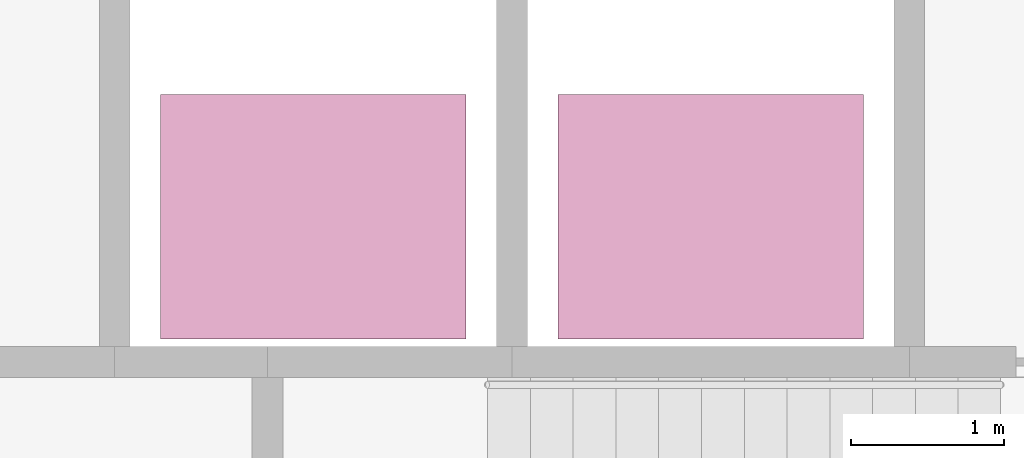
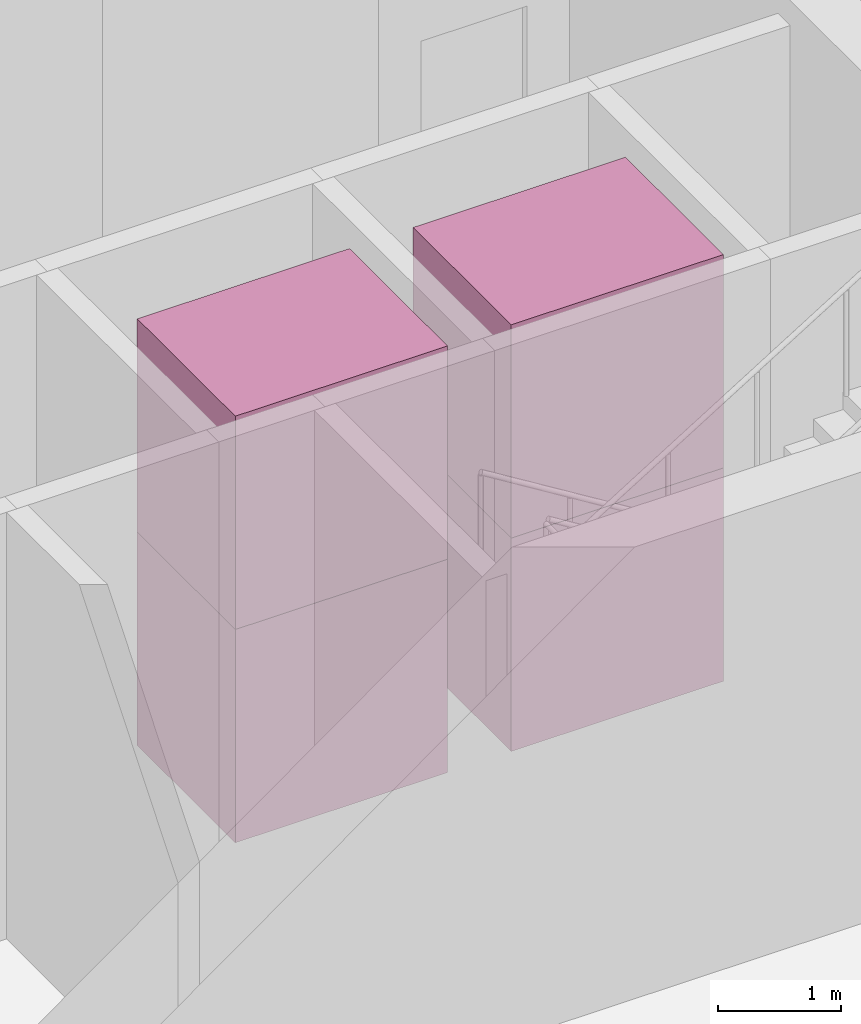
# One storey, part 10 of 10: 4 transport elements.
"""IFC4 building model written with IfcOpenShell, lengths in metres."""

import ifcopenshell
import ifcopenshell.guid

model = None  # the IFC model being written
_history = None  # IfcOwnerHistory: only IFC2X3 demands one
_inside = {}  # id of a spatial element -> (the spatial element, [elements in it])
_under = {}  # id of a project, library or spatial element -> (it, [spatial elements below it])
_declared = {}  # id of a project -> (the project, [libraries it declares])
_typed = {}  # id of a type object -> (the type object, [elements of that type])
_made_of = {}  # id of a material, layer set ... -> (it, [elements and type objects made of it])


def new_model(schema):
    """Start an empty IFC model of exactly this schema.

    Asked for "IFC4X3", IfcOpenShell would pick the latest addendum, in which some entities
    have other attributes; the version numbers below select the first issue.
    IFC2X3 requires an IfcOwnerHistory on every rooted entity: one is made here for all.
    """
    global model, _history
    if schema == "IFC4X3":
        model = ifcopenshell.file(schema_version=(4, 3, 0, 0))
    else:
        model = ifcopenshell.file(schema=schema)
    _inside.clear()
    _under.clear()
    _declared.clear()
    _typed.clear()
    _made_of.clear()
    _history = None
    if model.schema == "IFC2X3":
        org = make("IfcOrganization", Name="unknown")
        user = make(
            "IfcPersonAndOrganization",
            ThePerson=make("IfcPerson", FamilyName="unknown"),
            TheOrganization=org,
        )
        app = make(
            "IfcApplication",
            ApplicationDeveloper=org,
            Version="unknown",
            ApplicationFullName="unknown",
            ApplicationIdentifier="unknown",
        )
        _history = make(
            "IfcOwnerHistory",
            OwningUser=user,
            OwningApplication=app,
            ChangeAction="ADDED",
            CreationDate=0,
        )
    return model


def make(cls, **values):
    """One entity of the class cls with the attributes given. An attribute that is None is left unset."""
    return model.create_entity(
        cls, **{name: value for name, value in values.items() if value is not None}
    )


def rooted(cls, **values):
    """An entity with a GlobalId (a new one), such as an element, a storey or a relation."""
    return make(cls, GlobalId=ifcopenshell.guid.new(), OwnerHistory=_history, **values)


def si_unit(unit_type, name, prefix=None):
    """IfcSIUnit, for example si_unit("LENGTHUNIT", "METRE", prefix="MILLI")."""
    return make("IfcSIUnit", UnitType=unit_type, Prefix=prefix, Name=name)


def assignment(units):
    """IfcUnitAssignment: the units of a project."""
    return None if units is None else make("IfcUnitAssignment", Units=units)


def point(xyz):
    """IfcCartesianPoint."""
    return None if xyz is None else make("IfcCartesianPoint", Coordinates=xyz)


def direction(xyz):
    """IfcDirection."""
    return None if xyz is None else make("IfcDirection", DirectionRatios=xyz)


def frame(location, z_axis=None, x_axis=None):
    """IfcAxis2Placement3D, a coordinate frame: its origin and axes. An axis left out is left unset."""
    return make(
        "IfcAxis2Placement3D",
        Location=point(location),
        Axis=direction(z_axis),
        RefDirection=direction(x_axis),
    )


def frame_2d(location, x_axis=None):
    """IfcAxis2Placement2D, a coordinate frame in the plane: its origin and x axis."""
    return make(
        "IfcAxis2Placement2D", Location=point(location), RefDirection=direction(x_axis)
    )


def origin():
    """The frame at (0, 0, 0) with its axes left unset."""
    return frame((0.0, 0.0, 0.0))


def origin_2d():
    """The frame at (0, 0) in the plane with its x axis left unset."""
    return frame_2d((0.0, 0.0))


def place(relative_to, where):
    """IfcLocalPlacement: puts the frame where relative to a parent placement (None: the world)."""
    return make(
        "IfcLocalPlacement", PlacementRelTo=relative_to, RelativePlacement=where
    )


def context(
    kind, dimensions, precision=None, world=None, true_north=None, identifier=None
):
    """IfcGeometricRepresentationContext, for example the 3D "Model" context."""
    return make(
        "IfcGeometricRepresentationContext",
        ContextIdentifier=identifier,
        ContextType=kind,
        CoordinateSpaceDimension=dimensions,
        Precision=precision,
        WorldCoordinateSystem=world,
        TrueNorth=true_north,
    )


def subcontext(parent, identifier, kind, view, scale=None):
    """IfcGeometricRepresentationSubContext, for example "Body" below "Model"."""
    return make(
        "IfcGeometricRepresentationSubContext",
        ContextIdentifier=identifier,
        ContextType=kind,
        ParentContext=parent,
        TargetScale=scale,
        TargetView=view,
    )


def project(units=None, contexts=None):
    """IfcProject with its units and contexts."""
    return rooted(
        "IfcProject",
        Name="project",
        RepresentationContexts=contexts,
        UnitsInContext=assignment(units),
    )


def spatial(cls, under=None, at=None, **own):
    """A site, building, storey or space (cls), placed at a placement, below another one or the project."""
    s = rooted(cls, ObjectPlacement=at, **own)
    if under is not None:
        _under.setdefault(under.id(), (under, []))[1].append(s)
    return s


def profile(cls, at=None, kind="AREA", **sizes):
    """A parametric profile (cls). Its sizes go by their IFC names, for example OverallWidth=200.0."""
    return make(cls, ProfileType=kind, Position=at, **sizes)


def rectangle(**sizes):
    """IfcRectangleProfileDef."""
    return profile("IfcRectangleProfileDef", **sizes)


def extrude(swept, where, along, depth):
    """IfcExtrudedAreaSolid: the profile swept, set in the frame where, extruded along a direction by depth."""
    return make(
        "IfcExtrudedAreaSolid",
        SweptArea=swept,
        Position=where,
        ExtrudedDirection=direction(along),
        Depth=depth,
    )


def shape(context_of_items, identifier, shape_type, items):
    """IfcShapeRepresentation: the items that make up one representation, for example the "Body"."""
    return make(
        "IfcShapeRepresentation",
        ContextOfItems=context_of_items,
        RepresentationIdentifier=identifier,
        RepresentationType=shape_type,
        Items=items,
    )


def material(Name=None, Category=None):
    """IfcMaterial."""
    return make("IfcMaterial", Name=Name, Category=Category)


def made_of(thing, what):
    """Note that an element or type object is made of a material, layer set ...; save() writes the relation."""
    if what is not None:
        _made_of.setdefault(what.id(), (what, []))[1].append(thing)
    return thing


def type_object(cls, material=None, **own):
    """A type object (cls), such as IfcWallType, which elements share."""
    return made_of(rooted(cls, **own), material)


def element(
    cls,
    number,
    at=None,
    inside=None,
    cuts=None,
    type_object=None,
    material=None,
    context=None,
    identifier="Body",
    shape_type=None,
    held_by="IfcProductDefinitionShape",
    body=None,
    shapes=None,
    **own,
):
    """One element of the class cls, such as IfcWall. Its Tag is "e" and its number.

    at: its placement. inside: the storey or other place that contains it. cuts: it is an
    opening in that element (IfcRelVoidsElement). A single representation is given by context,
    identifier, shape_type and body (its items); several are given by shapes. held_by: the class
    of the entity that holds the representations. save() writes the other relations.
    """
    e = rooted(cls, Tag="e%d" % number, ObjectPlacement=at, **own)
    if body is not None:
        shapes = [shape(context, identifier, shape_type, body)]
    if shapes is not None:
        e.Representation = make(held_by, Representations=shapes)
    if inside is not None:
        _inside.setdefault(inside.id(), (inside, []))[1].append(e)
    if cuts is not None:
        rooted(
            "IfcRelVoidsElement", RelatingBuildingElement=cuts, RelatedOpeningElement=e
        )
    if type_object is not None:
        _typed.setdefault(type_object.id(), (type_object, []))[1].append(e)
    return made_of(e, material)


def aggregate(whole, parts):
    """IfcRelAggregates: a whole, such as a stair, and the parts it consists of."""
    return rooted("IfcRelAggregates", RelatingObject=whole, RelatedObjects=parts)


def save(model, path):
    """Write the relations noted so far, then the file.

    IfcRelAggregates (storeys below a building ...), IfcRelContainedInSpatialStructure (elements
    in a storey), IfcRelDefinesByType, IfcRelAssociatesMaterial and IfcRelDeclares: one each for
    every whole, place, type object, material and project.
    """
    for whole, parts in _under.values():
        aggregate(whole, parts)
    for where, things in _inside.values():
        rooted(
            "IfcRelContainedInSpatialStructure",
            RelatedElements=things,
            RelatingStructure=where,
        )
    for kind, things in _typed.values():
        rooted("IfcRelDefinesByType", RelatedObjects=things, RelatingType=kind)
    for what, things in _made_of.values():
        rooted("IfcRelAssociatesMaterial", RelatedObjects=things, RelatingMaterial=what)
    for by, libraries in _declared.values():
        rooted("IfcRelDeclares", RelatingContext=by, RelatedDefinitions=libraries)
    model.write(path)


model = new_model("IFC4")

# Units and contexts
model_context = context("Model", 3, precision=1e-05, world=origin(), true_north=direction((0.0, 1.0)))
body_context = subcontext(model_context, "Body", "Model", "MODEL_VIEW")
ifc_project = project(units=[si_unit("LENGTHUNIT", "METRE"), si_unit("AREAUNIT", "SQUARE_METRE"), si_unit("VOLUMEUNIT", "CUBIC_METRE"), si_unit("PLANEANGLEUNIT", "RADIAN"), si_unit("MASSUNIT", "GRAM", prefix="KILO")], contexts=[model_context])

# Site, building, storey
site_placement = place(None, origin())
site = spatial("IfcSite", under=ifc_project, at=site_placement, CompositionType="ELEMENT")
building_placement = place(site_placement, origin())
building = spatial("IfcBuilding", under=site, at=building_placement, Name="Sierra Prisma Convention Tower", CompositionType="ELEMENT")
storey_placement = place(building_placement, frame((0.0, 0.0, -4.5)))
storey = spatial("IfcBuildingStorey", under=building, at=storey_placement, Name="B1", CompositionType="ELEMENT", Elevation=-4.5)

# Transport elements
ifc_material = material(Name="Stainless steel", Category="steel")
transport_element_type = type_object("IfcTransportElementType", Name="Lift car garage 2000x1600 1600 kg", PredefinedType="ELEVATOR", material=ifc_material)
for number, where, z_axis, x_axis, name in (
    (1, (4.800048828125, -3.64990234375, 0.0), (0.0, 0.0, 1.0), (1.0, 0.0, 0.0), "Lift GL1"),
    (2, (4.800048828125, -3.64990234375, 2.125), (0.0, 0.0, 1.0), (1.0, 0.0, 0.0), "Lift GL1"),
    (3, (7.39990234375, -3.64990234375, 0.0), (0.0, 0.0, 1.0), (1.0, 0.0, 0.0), "Lift GL2"),
    (4, (7.39990234375, -3.64990234375, 2.125), (0.0, 0.0, 1.0), (1.0, 0.0, 0.0), "Lift GL2"),
):
    element("IfcTransportElement", number, at=place(storey_placement, frame(where, z_axis=z_axis, x_axis=x_axis)), inside=storey, type_object=transport_element_type, Name=name, PredefinedType="ELEVATOR", context=body_context, shape_type="SweptSolid", body=[
        extrude(rectangle(XDim=2.0, YDim=1.60009765625, at=origin_2d()), origin(), (0.0, 0.0, 1.0), 2.125),
    ])

save(model, "model.ifc")
